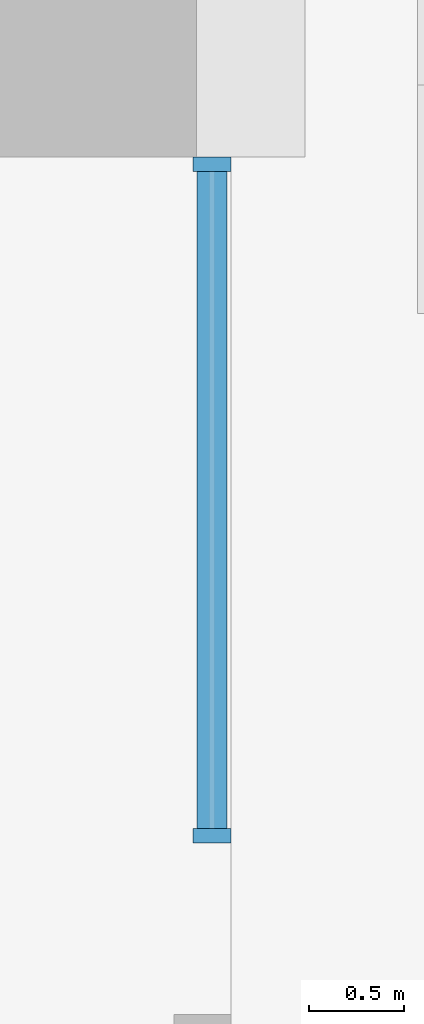
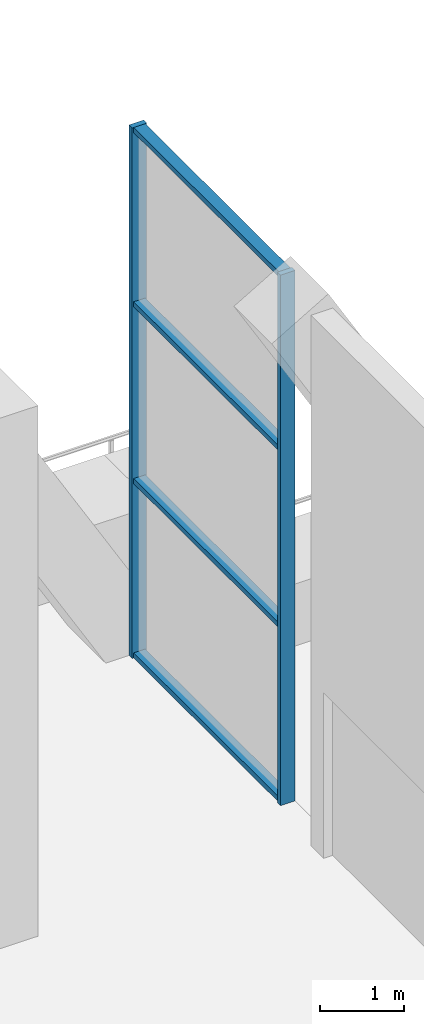
# One storey, part 5 of 12: 6 members, 1 element without a shape of its own.
"""IFC4 building model written with IfcOpenShell, lengths in metres."""

from ifc_helpers import new_model, si_unit, direction, frame, origin, origin_2d, place, context, subcontext, project, spatial, rectangle, extrude, material, material_profile, profile_set, type_object, element, aggregate, save


model = new_model("IFC4")

# Units and contexts
model_context = context("Model", 3, precision=1e-05, world=origin(), true_north=direction((0.0, 1.0)))
body_context = subcontext(model_context, "Body", "Model", "MODEL_VIEW")
ifc_project = project(units=[si_unit("LENGTHUNIT", "METRE"), si_unit("AREAUNIT", "SQUARE_METRE"), si_unit("VOLUMEUNIT", "CUBIC_METRE"), si_unit("PLANEANGLEUNIT", "RADIAN"), si_unit("MASSUNIT", "GRAM", prefix="KILO")], contexts=[model_context])

# Site, building, storey
site_placement = place(None, origin())
site = spatial("IfcSite", under=ifc_project, at=site_placement, CompositionType="ELEMENT")
building_placement = place(site_placement, origin())
building = spatial("IfcBuilding", under=site, at=building_placement, Name="Orbiselva Terraces", CompositionType="ELEMENT")
storey_placement = place(building_placement, frame((0.0, 0.0, 289.4)))
storey = spatial("IfcBuildingStorey", under=building, at=storey_placement, Name="L73", CompositionType="ELEMENT", Elevation=289.4)

# Curtain wall, members
ifc_material_1 = material(Name="Clear low-e glazing in aluminium frame", Category="aluminium")
curtain_wall_type = type_object("IfcCurtainWallType", Name="ENV-CW-TMD", PredefinedType="NOTDEFINED", material=ifc_material_1)
curtain_wall_placement = place(storey_placement, origin())
curtain_wall = element("IfcCurtainWall", 1, at=curtain_wall_placement, inside=storey, type_object=curtain_wall_type, Name="Curtain wall L73 E", PredefinedType="NOTDEFINED")
ifc_material_2 = material(Name="Anodised aluminium", Category="aluminium")
ifc_material_profile_1 = material_profile(ifc_material_2, rectangle(XDim=0.2, YDim=0.075, at=origin_2d()), Name="AL 75x200")
ifc_profile_set_1 = profile_set([ifc_material_profile_1], Name="Anodised aluminium")
member_type_1 = type_object("IfcMemberType", Name="ENV-CW-TMD-MULLION-75x200", PredefinedType="MULLION", material=ifc_profile_set_1)
member_1_placement = place(storey_placement, frame((22.4, 13.9875, 0.0), z_axis=(0.0, 0.0, 1.0), x_axis=(-1.0, 0.0, 0.0)))
member_1 = element("IfcMember", 2, at=member_1_placement, type_object=member_type_1, Name="CW4 mullion 1", PredefinedType="MULLION", context=body_context, shape_type="SweptSolid", body=[
    extrude(rectangle(XDim=0.2, YDim=0.075, at=origin_2d()), origin(), (0.0, 0.0, 1.0), 7.7),
])
member_2_placement = place(storey_placement, frame((22.4, 17.5125, 0.0), z_axis=(0.0, 0.0, 1.0), x_axis=(-1.0, 0.0, 0.0)))
member_2 = element("IfcMember", 3, at=member_2_placement, type_object=member_type_1, Name="CW4 mullion 2", PredefinedType="MULLION", context=body_context, shape_type="SweptSolid", body=[
    extrude(rectangle(XDim=0.2, YDim=0.075, at=origin_2d()), origin(), (0.0, 0.0, 1.0), 7.7),
])
ifc_material_profile_2 = material_profile(ifc_material_2, rectangle(XDim=0.16, YDim=0.075, at=origin_2d()), Name="AL 75x160")
ifc_profile_set_2 = profile_set([ifc_material_profile_2], Name="Anodised aluminium")
member_type_2 = type_object("IfcMemberType", Name="ENV-CW-TMD-TRANSOM-75x160", PredefinedType="USERDEFINED", material=ifc_profile_set_2)
member_3_placement = place(storey_placement, frame((22.4, 14.025, 0.0375), z_axis=(0.0, 1.0, 0.0), x_axis=(-1.0, 0.0, 0.0)))
member_3 = element("IfcMember", 4, at=member_3_placement, type_object=member_type_2, Name="CW4 transom 1.1", ObjectType="TRANSOM", PredefinedType="USERDEFINED", context=body_context, shape_type="SweptSolid", body=[
    extrude(rectangle(XDim=0.16, YDim=0.075, at=origin_2d()), origin(), (0.0, 0.0, 1.0), 3.45),
])
member_4_placement = place(storey_placement, frame((22.4, 14.025, 2.566667), z_axis=(0.0, 1.0, 0.0), x_axis=(-1.0, 0.0, 0.0)))
member_4 = element("IfcMember", 5, at=member_4_placement, type_object=member_type_2, Name="CW4 transom 1.2", ObjectType="TRANSOM", PredefinedType="USERDEFINED", context=body_context, shape_type="SweptSolid", body=[
    extrude(rectangle(XDim=0.16, YDim=0.075, at=origin_2d()), origin(), (0.0, 0.0, 1.0), 3.45),
])
member_5_placement = place(storey_placement, frame((22.4, 14.025, 5.133333), z_axis=(0.0, 1.0, 0.0), x_axis=(-1.0, 0.0, 0.0)))
member_5 = element("IfcMember", 6, at=member_5_placement, type_object=member_type_2, Name="CW4 transom 1.3", ObjectType="TRANSOM", PredefinedType="USERDEFINED", context=body_context, shape_type="SweptSolid", body=[
    extrude(rectangle(XDim=0.16, YDim=0.075, at=origin_2d()), origin(), (0.0, 0.0, 1.0), 3.45),
])
member_6_placement = place(storey_placement, frame((22.4, 14.025, 7.6625), z_axis=(0.0, 1.0, 0.0), x_axis=(-1.0, 0.0, 0.0)))
member_6 = element("IfcMember", 7, at=member_6_placement, type_object=member_type_2, Name="CW4 transom 1.4", ObjectType="TRANSOM", PredefinedType="USERDEFINED", context=body_context, shape_type="SweptSolid", body=[
    extrude(rectangle(XDim=0.16, YDim=0.075, at=origin_2d()), origin(), (0.0, 0.0, 1.0), 3.45),
])
aggregate(curtain_wall, [member_1, member_2, member_3, member_4, member_5, member_6])

save(model, "model.ifc")
